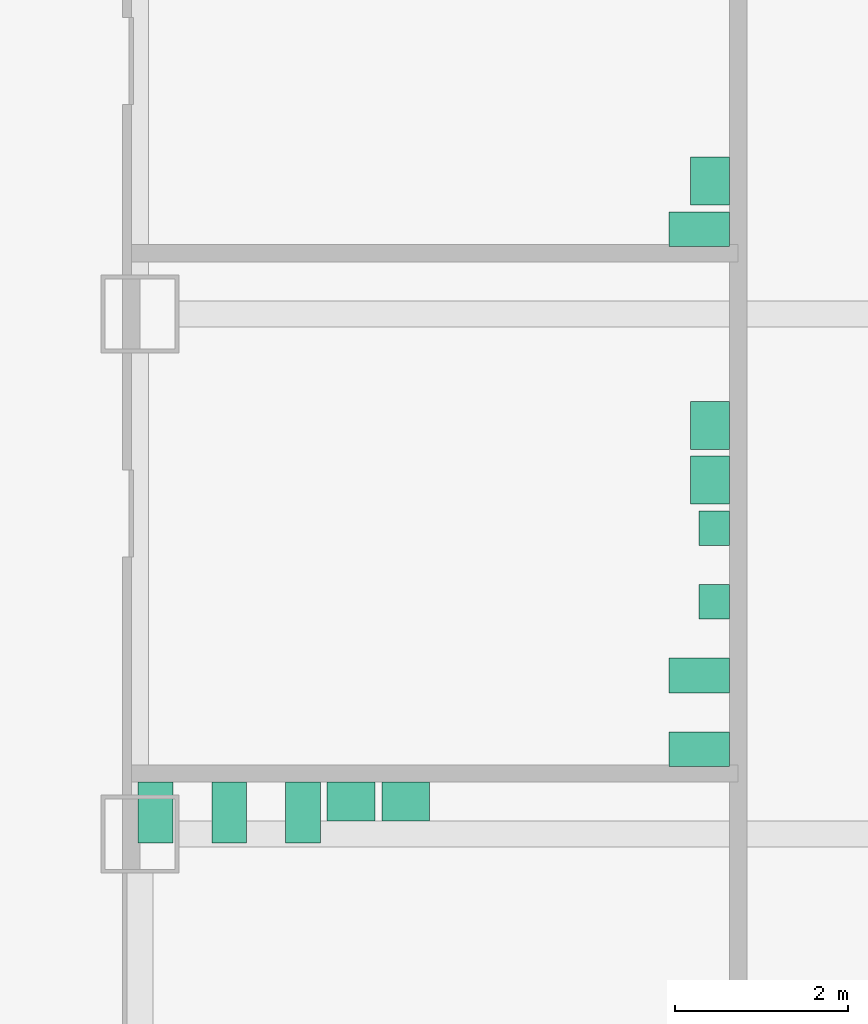
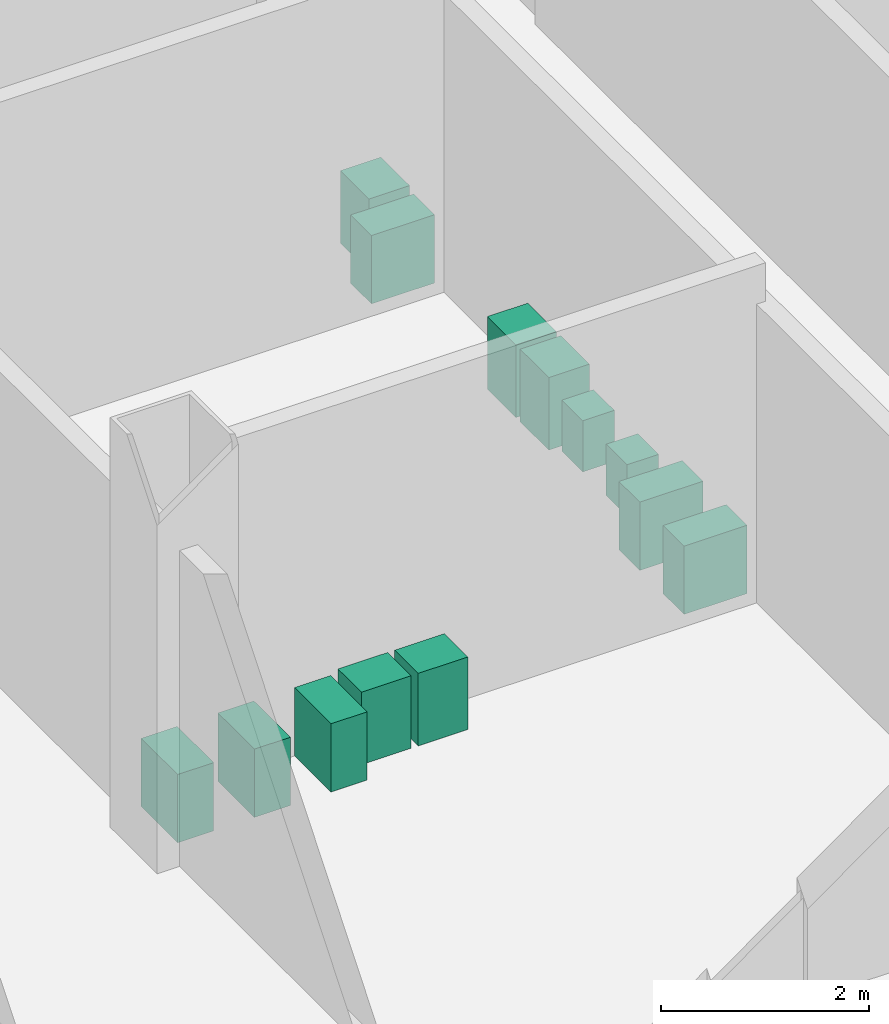
# One storey, part 33 of 33: 13 sanitary terminals.
"""IFC4 building model written with IfcOpenShell, lengths in metres."""

import ifcopenshell
import ifcopenshell.guid

model = None  # the IFC model being written
_history = None  # IfcOwnerHistory: only IFC2X3 demands one
_inside = {}  # id of a spatial element -> (the spatial element, [elements in it])
_under = {}  # id of a project, library or spatial element -> (it, [spatial elements below it])
_declared = {}  # id of a project -> (the project, [libraries it declares])
_typed = {}  # id of a type object -> (the type object, [elements of that type])
_made_of = {}  # id of a material, layer set ... -> (it, [elements and type objects made of it])


def new_model(schema):
    """Start an empty IFC model of exactly this schema.

    Asked for "IFC4X3", IfcOpenShell would pick the latest addendum, in which some entities
    have other attributes; the version numbers below select the first issue.
    IFC2X3 requires an IfcOwnerHistory on every rooted entity: one is made here for all.
    """
    global model, _history
    if schema == "IFC4X3":
        model = ifcopenshell.file(schema_version=(4, 3, 0, 0))
    else:
        model = ifcopenshell.file(schema=schema)
    _inside.clear()
    _under.clear()
    _declared.clear()
    _typed.clear()
    _made_of.clear()
    _history = None
    if model.schema == "IFC2X3":
        org = make("IfcOrganization", Name="unknown")
        user = make(
            "IfcPersonAndOrganization",
            ThePerson=make("IfcPerson", FamilyName="unknown"),
            TheOrganization=org,
        )
        app = make(
            "IfcApplication",
            ApplicationDeveloper=org,
            Version="unknown",
            ApplicationFullName="unknown",
            ApplicationIdentifier="unknown",
        )
        _history = make(
            "IfcOwnerHistory",
            OwningUser=user,
            OwningApplication=app,
            ChangeAction="ADDED",
            CreationDate=0,
        )
    return model


def make(cls, **values):
    """One entity of the class cls with the attributes given. An attribute that is None is left unset."""
    return model.create_entity(
        cls, **{name: value for name, value in values.items() if value is not None}
    )


def rooted(cls, **values):
    """An entity with a GlobalId (a new one), such as an element, a storey or a relation."""
    return make(cls, GlobalId=ifcopenshell.guid.new(), OwnerHistory=_history, **values)


def si_unit(unit_type, name, prefix=None):
    """IfcSIUnit, for example si_unit("LENGTHUNIT", "METRE", prefix="MILLI")."""
    return make("IfcSIUnit", UnitType=unit_type, Prefix=prefix, Name=name)


def assignment(units):
    """IfcUnitAssignment: the units of a project."""
    return None if units is None else make("IfcUnitAssignment", Units=units)


def point(xyz):
    """IfcCartesianPoint."""
    return None if xyz is None else make("IfcCartesianPoint", Coordinates=xyz)


def direction(xyz):
    """IfcDirection."""
    return None if xyz is None else make("IfcDirection", DirectionRatios=xyz)


def frame(location, z_axis=None, x_axis=None):
    """IfcAxis2Placement3D, a coordinate frame: its origin and axes. An axis left out is left unset."""
    return make(
        "IfcAxis2Placement3D",
        Location=point(location),
        Axis=direction(z_axis),
        RefDirection=direction(x_axis),
    )


def frame_2d(location, x_axis=None):
    """IfcAxis2Placement2D, a coordinate frame in the plane: its origin and x axis."""
    return make(
        "IfcAxis2Placement2D", Location=point(location), RefDirection=direction(x_axis)
    )


def origin():
    """The frame at (0, 0, 0) with its axes left unset."""
    return frame((0.0, 0.0, 0.0))


def origin_2d():
    """The frame at (0, 0) in the plane with its x axis left unset."""
    return frame_2d((0.0, 0.0))


def place(relative_to, where):
    """IfcLocalPlacement: puts the frame where relative to a parent placement (None: the world)."""
    return make(
        "IfcLocalPlacement", PlacementRelTo=relative_to, RelativePlacement=where
    )


def context(
    kind, dimensions, precision=None, world=None, true_north=None, identifier=None
):
    """IfcGeometricRepresentationContext, for example the 3D "Model" context."""
    return make(
        "IfcGeometricRepresentationContext",
        ContextIdentifier=identifier,
        ContextType=kind,
        CoordinateSpaceDimension=dimensions,
        Precision=precision,
        WorldCoordinateSystem=world,
        TrueNorth=true_north,
    )


def subcontext(parent, identifier, kind, view, scale=None):
    """IfcGeometricRepresentationSubContext, for example "Body" below "Model"."""
    return make(
        "IfcGeometricRepresentationSubContext",
        ContextIdentifier=identifier,
        ContextType=kind,
        ParentContext=parent,
        TargetScale=scale,
        TargetView=view,
    )


def project(units=None, contexts=None):
    """IfcProject with its units and contexts."""
    return rooted(
        "IfcProject",
        Name="project",
        RepresentationContexts=contexts,
        UnitsInContext=assignment(units),
    )


def spatial(cls, under=None, at=None, **own):
    """A site, building, storey or space (cls), placed at a placement, below another one or the project."""
    s = rooted(cls, ObjectPlacement=at, **own)
    if under is not None:
        _under.setdefault(under.id(), (under, []))[1].append(s)
    return s


def profile(cls, at=None, kind="AREA", **sizes):
    """A parametric profile (cls). Its sizes go by their IFC names, for example OverallWidth=200.0."""
    return make(cls, ProfileType=kind, Position=at, **sizes)


def rectangle(**sizes):
    """IfcRectangleProfileDef."""
    return profile("IfcRectangleProfileDef", **sizes)


def extrude(swept, where, along, depth):
    """IfcExtrudedAreaSolid: the profile swept, set in the frame where, extruded along a direction by depth."""
    return make(
        "IfcExtrudedAreaSolid",
        SweptArea=swept,
        Position=where,
        ExtrudedDirection=direction(along),
        Depth=depth,
    )


def shape(context_of_items, identifier, shape_type, items):
    """IfcShapeRepresentation: the items that make up one representation, for example the "Body"."""
    return make(
        "IfcShapeRepresentation",
        ContextOfItems=context_of_items,
        RepresentationIdentifier=identifier,
        RepresentationType=shape_type,
        Items=items,
    )


def made_of(thing, what):
    """Note that an element or type object is made of a material, layer set ...; save() writes the relation."""
    if what is not None:
        _made_of.setdefault(what.id(), (what, []))[1].append(thing)
    return thing


def element(
    cls,
    number,
    at=None,
    inside=None,
    cuts=None,
    type_object=None,
    material=None,
    context=None,
    identifier="Body",
    shape_type=None,
    held_by="IfcProductDefinitionShape",
    body=None,
    shapes=None,
    **own,
):
    """One element of the class cls, such as IfcWall. Its Tag is "e" and its number.

    at: its placement. inside: the storey or other place that contains it. cuts: it is an
    opening in that element (IfcRelVoidsElement). A single representation is given by context,
    identifier, shape_type and body (its items); several are given by shapes. held_by: the class
    of the entity that holds the representations. save() writes the other relations.
    """
    e = rooted(cls, Tag="e%d" % number, ObjectPlacement=at, **own)
    if body is not None:
        shapes = [shape(context, identifier, shape_type, body)]
    if shapes is not None:
        e.Representation = make(held_by, Representations=shapes)
    if inside is not None:
        _inside.setdefault(inside.id(), (inside, []))[1].append(e)
    if cuts is not None:
        rooted(
            "IfcRelVoidsElement", RelatingBuildingElement=cuts, RelatedOpeningElement=e
        )
    if type_object is not None:
        _typed.setdefault(type_object.id(), (type_object, []))[1].append(e)
    return made_of(e, material)


def aggregate(whole, parts):
    """IfcRelAggregates: a whole, such as a stair, and the parts it consists of."""
    return rooted("IfcRelAggregates", RelatingObject=whole, RelatedObjects=parts)


def save(model, path):
    """Write the relations noted so far, then the file.

    IfcRelAggregates (storeys below a building ...), IfcRelContainedInSpatialStructure (elements
    in a storey), IfcRelDefinesByType, IfcRelAssociatesMaterial and IfcRelDeclares: one each for
    every whole, place, type object, material and project.
    """
    for whole, parts in _under.values():
        aggregate(whole, parts)
    for where, things in _inside.values():
        rooted(
            "IfcRelContainedInSpatialStructure",
            RelatedElements=things,
            RelatingStructure=where,
        )
    for kind, things in _typed.values():
        rooted("IfcRelDefinesByType", RelatedObjects=things, RelatingType=kind)
    for what, things in _made_of.values():
        rooted("IfcRelAssociatesMaterial", RelatedObjects=things, RelatingMaterial=what)
    for by, libraries in _declared.values():
        rooted("IfcRelDeclares", RelatingContext=by, RelatedDefinitions=libraries)
    model.write(path)


model = new_model("IFC4")

# Units and contexts
model_context = context("Model", 3, precision=1e-05, world=origin(), true_north=direction((0.0, 1.0)))
body_context = subcontext(model_context, "Body", "Model", "MODEL_VIEW")
ifc_project = project(units=[si_unit("LENGTHUNIT", "METRE"), si_unit("AREAUNIT", "SQUARE_METRE"), si_unit("VOLUMEUNIT", "CUBIC_METRE"), si_unit("PLANEANGLEUNIT", "RADIAN"), si_unit("MASSUNIT", "GRAM", prefix="KILO")], contexts=[model_context])

# Site, building, storey
site_placement = place(None, origin())
site = spatial("IfcSite", under=ifc_project, at=site_placement, CompositionType="ELEMENT")
building_placement = place(site_placement, origin())
building = spatial("IfcBuilding", under=site, at=building_placement, Name="Sorahane Residences", CompositionType="ELEMENT")
storey_placement = place(building_placement, frame((0.0, 0.0, 25.199951171875)))
storey = spatial("IfcBuildingStorey", under=building, at=storey_placement, Name="L03", CompositionType="ELEMENT", Elevation=25.199951171875)

# Sanitary terminals
for number, where, z_axis, x_axis, name in (
    (1, (48.179931640625, 24.25, 0.0), (0.0, 0.0, 1.0), (1.0, 0.0, 0.0), "WC pan Women's toilets 03"),
    (2, (49.030029296875, 24.25, 0.0), (0.0, 0.0, 1.0), (1.0, 0.0, 0.0), "WC pan Women's toilets 03"),
    (3, (49.8798828125, 24.25, 0.0), (0.0, 0.0, 1.0), (1.0, 0.0, 0.0), "WC pan Women's toilets 03"),
):
    element("IfcSanitaryTerminal", number, at=place(storey_placement, frame(where, z_axis=z_axis, x_axis=x_axis)), inside=storey, Name=name, PredefinedType="TOILETPAN", context=body_context, shape_type="SweptSolid", body=[
        extrude(rectangle(XDim=0.39990234375, YDim=0.699951171875, at=origin_2d()), origin(), (0.0, 0.0, 1.0), 0.800048828125),
    ])
for number, where, z_axis, x_axis, name in (
    (4, (50.43505859375, 24.375, 0.0), (0.0, 0.0, 1.0), (1.0, 0.0, 0.0), "Wash basin Women's toilets 03"),
    (5, (51.06494140625, 24.375, 0.0), (0.0, 0.0, 1.0), (1.0, 0.0, 0.0), "Wash basin Women's toilets 03"),
):
    element("IfcSanitaryTerminal", number, at=place(storey_placement, frame(where, z_axis=z_axis, x_axis=x_axis)), inside=storey, Name=name, PredefinedType="WASHHANDBASIN", context=body_context, shape_type="SweptSolid", body=[
        extrude(rectangle(XDim=0.550048828125, YDim=0.449951171875, at=origin_2d()), origin(), (0.0, 0.0, 1.0), 0.85009765625),
    ])
for number, where, z_axis, x_axis, name in (
    (6, (54.449951171875, 24.97998046875, 0.0), (0.0, 0.0, 1.0), (0.0, -1.0, 0.0), "WC pan Men's toilets 03"),
    (7, (54.449951171875, 25.830078125, 0.0), (0.0, 0.0, 1.0), (0.0, -1.0, 0.0), "WC pan Men's toilets 03"),
):
    element("IfcSanitaryTerminal", number, at=place(storey_placement, frame(where, z_axis=z_axis, x_axis=x_axis)), inside=storey, Name=name, PredefinedType="TOILETPAN", context=body_context, shape_type="SweptSolid", body=[
        extrude(rectangle(XDim=0.39990234375, YDim=0.699951171875, at=origin_2d()), origin(), (0.0, 0.0, 1.0), 0.800048828125),
    ])
for number, where, z_axis, x_axis, name in (
    (8, (54.625, 26.679931640625, 0.0), (0.0, 0.0, 1.0), (0.0, -1.0, 0.0), "Urinal Men's toilets 03"),
    (9, (54.625, 27.530029296875, 0.0), (0.0, 0.0, 1.0), (0.0, -1.0, 0.0), "Urinal Men's toilets 03"),
):
    element("IfcSanitaryTerminal", number, at=place(storey_placement, frame(where, z_axis=z_axis, x_axis=x_axis)), inside=storey, Name=name, PredefinedType="URINAL", context=body_context, shape_type="SweptSolid", body=[
        extrude(rectangle(XDim=0.39990234375, YDim=0.35009765625, at=origin_2d()), origin(), (0.0, 0.0, 1.0), 0.60009765625),
    ])
for number, where, z_axis, x_axis, name in (
    (10, (54.574951171875, 28.0849609375, 0.0), (0.0, 0.0, 1.0), (0.0, -1.0, 0.0), "Wash basin Men's toilets 03"),
    (11, (54.574951171875, 28.715087890625, 0.0), (0.0, 0.0, 1.0), (0.0, -1.0, 0.0), "Wash basin Men's toilets 03"),
):
    element("IfcSanitaryTerminal", number, at=place(storey_placement, frame(where, z_axis=z_axis, x_axis=x_axis)), inside=storey, Name=name, PredefinedType="WASHHANDBASIN", context=body_context, shape_type="SweptSolid", body=[
        extrude(rectangle(XDim=0.550048828125, YDim=0.449951171875, at=origin_2d()), origin(), (0.0, 0.0, 1.0), 0.85009765625),
    ])
sanitary_terminal_1_placement = place(storey_placement, frame((54.449951171875, 30.97998046875, 0.0), z_axis=(0.0, 0.0, 1.0), x_axis=(0.0, -1.0, 0.0)))
element("IfcSanitaryTerminal", 12, at=sanitary_terminal_1_placement, inside=storey, Name="WC pan Accessible toilets 03", PredefinedType="TOILETPAN", context=body_context, shape_type="SweptSolid", body=[
    extrude(rectangle(XDim=0.39990234375, YDim=0.699951171875, at=origin_2d()), origin(), (0.0, 0.0, 1.0), 0.800048828125),
])
sanitary_terminal_2_placement = place(storey_placement, frame((54.574951171875, 31.534912109375, 0.0), z_axis=(0.0, 0.0, 1.0), x_axis=(0.0, -1.0, 0.0)))
element("IfcSanitaryTerminal", 13, at=sanitary_terminal_2_placement, inside=storey, Name="Wash basin Accessible toilets 03", PredefinedType="WASHHANDBASIN", context=body_context, shape_type="SweptSolid", body=[
    extrude(rectangle(XDim=0.550048828125, YDim=0.449951171875, at=origin_2d()), origin(), (0.0, 0.0, 1.0), 0.85009765625),
])

save(model, "model.ifc")
